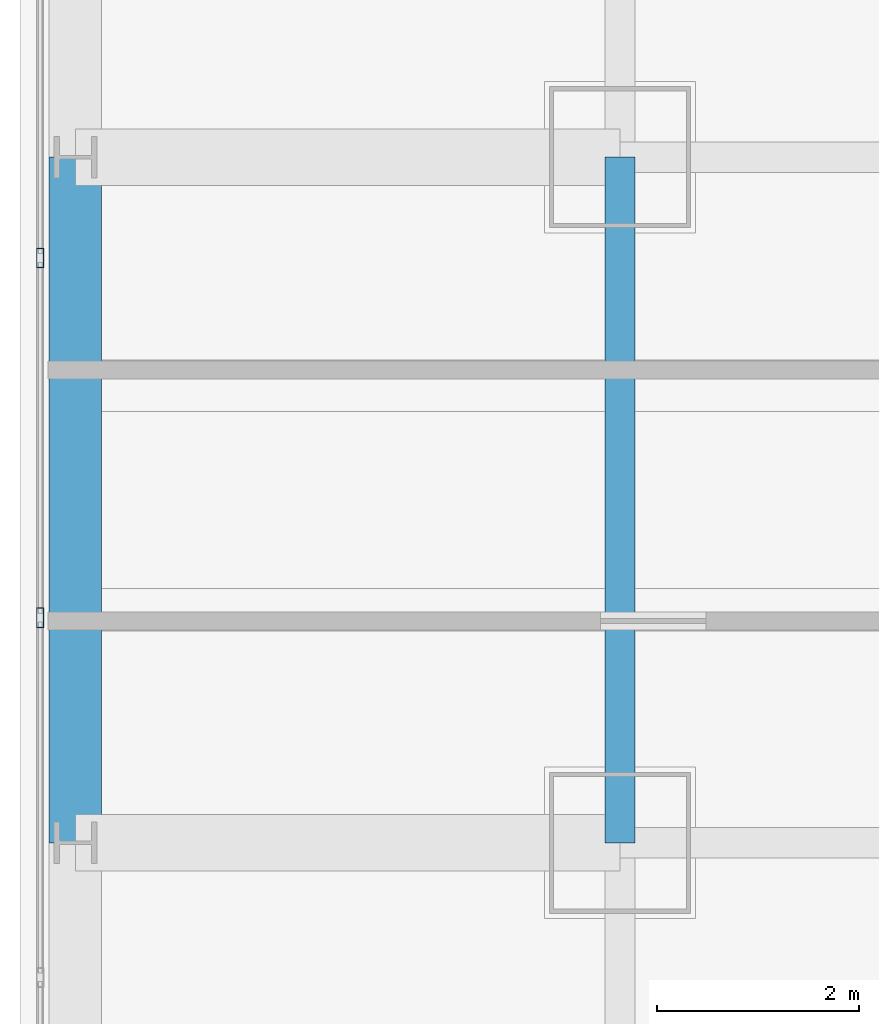
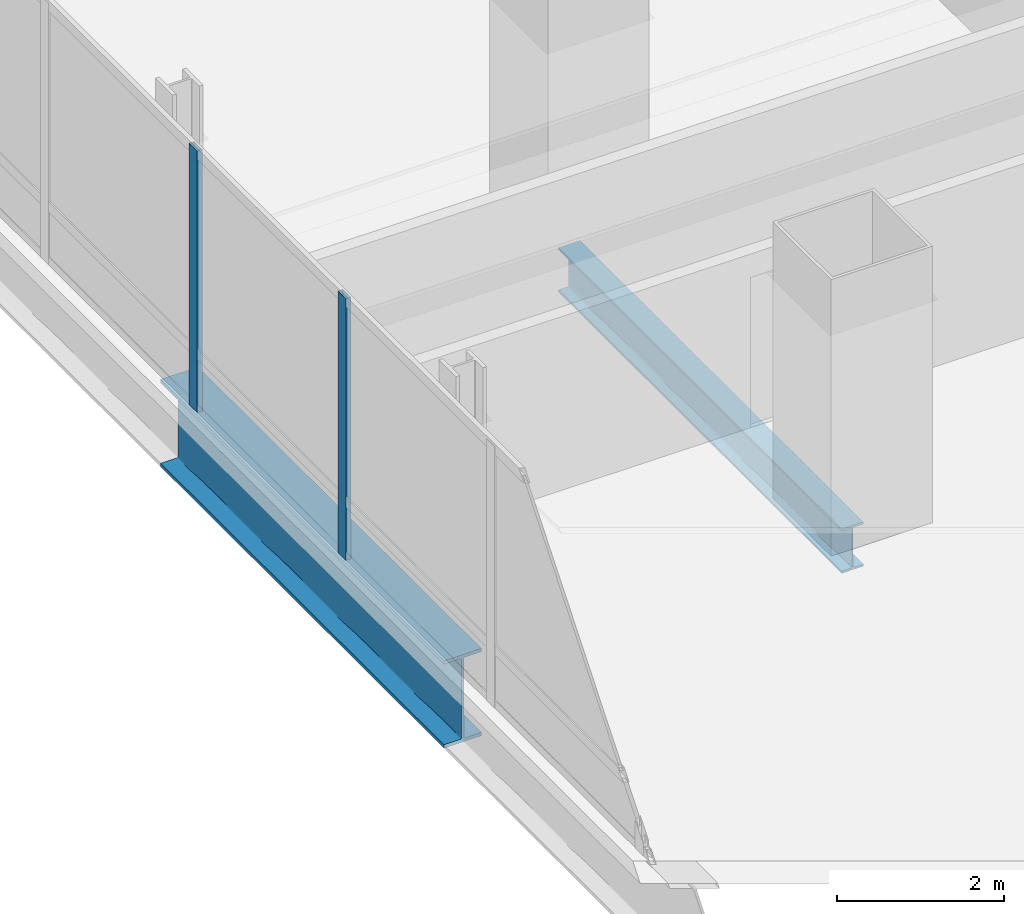
# One storey, part 10 of 37: 2 beams, 2 members, 1 element without a shape of its own.
"""IFC4 building model written with IfcOpenShell, lengths in metres."""

from ifc_helpers import new_model, si_unit, direction, frame, origin, origin_2d, place, context, subcontext, project, spatial, hollow_rectangle, i_section, extrude, material, material_profile, profile_set, type_object, element, aggregate, save


model = new_model("IFC4")

# Units and contexts
model_context = context("Model", 3, precision=1e-05, world=origin(), true_north=direction((0.0, 1.0)))
body_context = subcontext(model_context, "Body", "Model", "MODEL_VIEW")
ifc_project = project(units=[si_unit("LENGTHUNIT", "METRE"), si_unit("AREAUNIT", "SQUARE_METRE"), si_unit("VOLUMEUNIT", "CUBIC_METRE"), si_unit("PLANEANGLEUNIT", "RADIAN"), si_unit("MASSUNIT", "GRAM", prefix="KILO")], contexts=[model_context])

# Site, building, storey
site_placement = place(None, origin())
site = spatial("IfcSite", under=ifc_project, at=site_placement, CompositionType="ELEMENT")
building_placement = place(site_placement, origin())
building = spatial("IfcBuilding", under=site, at=building_placement, Name="Punatoya Terracotta Tower", CompositionType="ELEMENT")
storey_placement = place(building_placement, frame((0.0, 0.0, 164.10009765625)))
storey = spatial("IfcBuildingStorey", under=building, at=storey_placement, Name="L38", CompositionType="ELEMENT", Elevation=164.10009765625)

# Beams
ifc_material_1 = material(Name="Steel S355", Category="steel")
ifc_material_profile_1 = material_profile(ifc_material_1, i_section(OverallWidth=0.300048828125, OverallDepth=0.64990234375, WebThickness=0.01611328125, FlangeThickness=0.031005859375, FilletRadius=0.01806640625, at=origin_2d()))
ifc_profile_set_1 = profile_set([ifc_material_profile_1], Name="Steel S355")
beam_type_1 = type_object("IfcBeamType", Name="BM-PRI-650", PredefinedType="BEAM", material=ifc_profile_set_1)
beam_1_placement = place(storey_placement, frame((-19.10009765625, -3.39990234375, -0.545166015625), z_axis=(0.0, 1.0, 0.0), x_axis=(-1.0, 0.0, 0.0)))
element("IfcBeam", 1, at=beam_1_placement, inside=storey, type_object=beam_type_1, Name="BM-L38-RG-W2", PredefinedType="BEAM", context=body_context, shape_type="SweptSolid", body=[
    extrude(i_section(OverallWidth=0.300048828125, OverallDepth=0.64990234375, WebThickness=0.01611328125, FlangeThickness=0.031005859375, FilletRadius=0.01806640625, at=origin_2d()), origin(), (0.0, 0.0, 1.0), 6.7998046875),
])
ifc_material_2 = material(Name="Steel S460", Category="steel")
ifc_material_profile_2 = material_profile(ifc_material_2, i_section(OverallWidth=0.52001953125, OverallDepth=1.280029296875, WebThickness=0.031982421875, FlangeThickness=0.050048828125, FilletRadius=0.01806640625, at=origin_2d()))
ifc_profile_set_2 = profile_set([ifc_material_profile_2], Name="Steel S460")
beam_type_2 = type_object("IfcBeamType", Name="BM-TG-NCK", PredefinedType="BEAM", material=ifc_profile_set_2)
beam_2_placement = place(storey_placement, frame((-24.5, -3.39990234375, -0.860107421875), z_axis=(0.0, 1.0, 0.0), x_axis=(-1.0, 0.0, 0.0)))
element("IfcBeam", 2, at=beam_2_placement, inside=storey, type_object=beam_type_2, Name="BM-L38-PER-W2", PredefinedType="BEAM", context=body_context, shape_type="SweptSolid", body=[
    extrude(i_section(OverallWidth=0.52001953125, OverallDepth=1.280029296875, WebThickness=0.031982421875, FlangeThickness=0.050048828125, FilletRadius=0.01806640625, at=origin_2d()), origin(), (0.0, 0.0, 1.0), 6.7998046875),
])

# Curtain wall, members
ifc_material_3 = material(Name="Aluminium 6063-T6 + Double Low-E Glass", Category="aluminium")
curtain_wall_type = type_object("IfcCurtainWallType", Name="CW-M2", PredefinedType="NOTDEFINED", material=ifc_material_3)
curtain_wall_placement = place(storey_placement, origin())
curtain_wall = element("IfcCurtainWall", 3, at=curtain_wall_placement, inside=storey, type_object=curtain_wall_type, Name="L38 Curtain Wall CW-L38-W13-1", PredefinedType="NOTDEFINED")
ifc_material_4 = material(Name="Aluminium 6063-T6", Category="aluminium")
ifc_material_profile_3 = material_profile(ifc_material_4, hollow_rectangle(XDim=0.072021484375, YDim=0.195068359375, WallThickness=0.00439453125, at=origin_2d()))
ifc_profile_set_3 = profile_set([ifc_material_profile_3], Name="Aluminium 6063-T6")
member_type = type_object("IfcMemberType", Name="CW-MUL-M2", PredefinedType="MULLION", material=ifc_profile_set_3)
member_1_placement = place(storey_placement, frame((-24.85009765625, 2.39990234375, 0.0), z_axis=(0.0, 0.0, 1.0), x_axis=(1.0, 0.0, 0.0)))
member_1 = element("IfcMember", 4, at=member_1_placement, type_object=member_type, Name="CW-L38-W13-1 Mullion 05", PredefinedType="MULLION", context=body_context, shape_type="SweptSolid", body=[
    extrude(hollow_rectangle(XDim=0.072021484375, YDim=0.195068359375, WallThickness=0.00439453125, at=origin_2d()), origin(), (0.0, 0.0, 1.0), 3.829833984375),
])
member_2_placement = place(storey_placement, frame((-24.85009765625, -1.16748046875, 0.0), z_axis=(0.0, 0.0, 1.0), x_axis=(1.0, 0.0, 0.0)))
member_2 = element("IfcMember", 5, at=member_2_placement, type_object=member_type, Name="CW-L38-W13-1 Mullion 06", PredefinedType="MULLION", context=body_context, shape_type="SweptSolid", body=[
    extrude(hollow_rectangle(XDim=0.072021484375, YDim=0.195068359375, WallThickness=0.00439453125, at=origin_2d()), origin(), (0.0, 0.0, 1.0), 3.829833984375),
])
aggregate(curtain_wall, [member_1, member_2])

save(model, "model.ifc")
